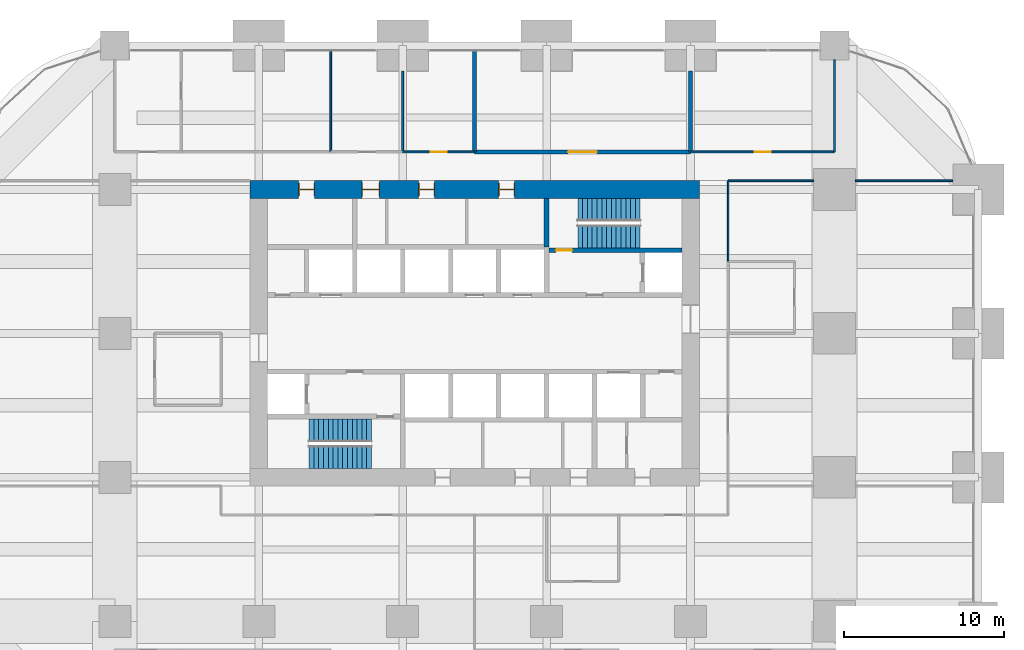
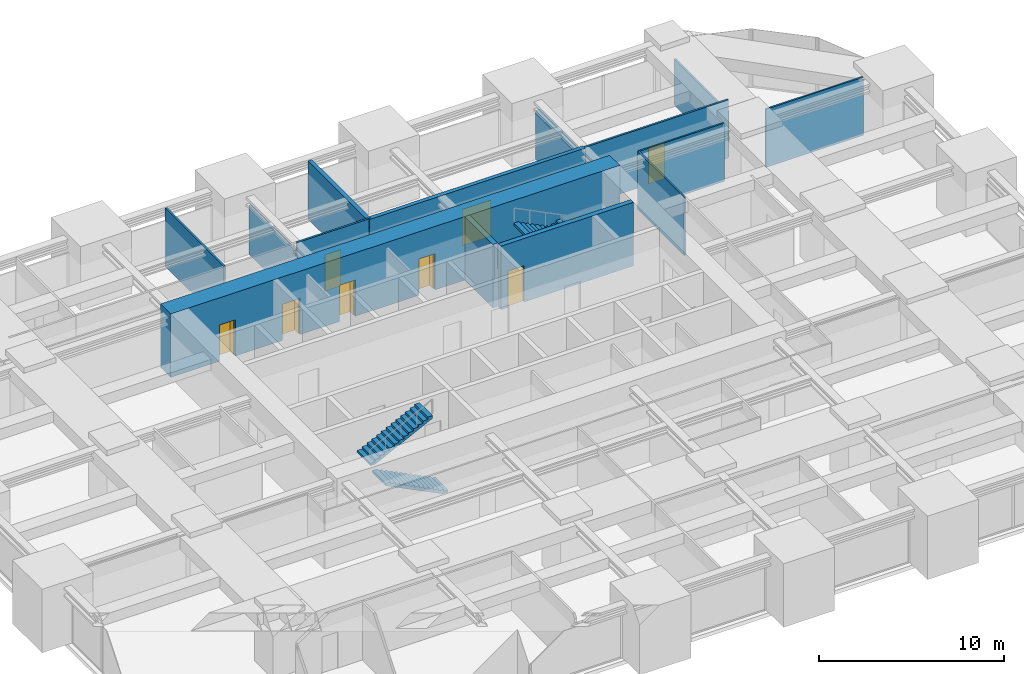
# One storey, part 44 of 45: 14 walls, 8 doors, 4 stair flights, 8 openings, 2 elements without a shape of their own.
"""IFC4 building model written with IfcOpenShell, lengths in metres."""

from ifc_helpers import new_model, si_unit, direction, frame, frame_2d, origin, place, context, subcontext, project, spatial, polyline, rectangle, outline, extrude, material, layer, layer_set, type_object, element, fill, aggregate, save


model = new_model("IFC4")

# Units and contexts
model_context = context("Model", 3, precision=1e-05, world=origin(), true_north=direction((0.0, 1.0)))
body_context = subcontext(model_context, "Body", "Model", "MODEL_VIEW")
ifc_project = project(units=[si_unit("LENGTHUNIT", "METRE"), si_unit("AREAUNIT", "SQUARE_METRE"), si_unit("VOLUMEUNIT", "CUBIC_METRE"), si_unit("PLANEANGLEUNIT", "RADIAN"), si_unit("MASSUNIT", "GRAM", prefix="KILO")], contexts=[model_context])

# Site, building, storey
site_placement = place(None, origin())
site = spatial("IfcSite", under=ifc_project, at=site_placement, CompositionType="ELEMENT")
building_placement = place(site_placement, origin())
building = spatial("IfcBuilding", under=site, at=building_placement, Name="Zorevar Civic Tower", CompositionType="ELEMENT")
storey_placement = place(building_placement, frame((0.0, 0.0, 153.0)))
storey = spatial("IfcBuildingStorey", under=building, at=storey_placement, Name="L37", CompositionType="ELEMENT", Elevation=153.0)

# Wall, opening, door
ifc_material_1 = material(Name="Twin-stud acoustic wall, gypsum board")
ifc_layer_1 = layer(ifc_material_1, 0.25)
ifc_layer_set_1 = layer_set([ifc_layer_1], Name="Acoustic wall 250")
wall_type_1 = type_object("IfcWallType", Name="Acoustic wall 250", PredefinedType="PARTITIONING", material=ifc_layer_set_1)
wall_1_placement = place(storey_placement, frame((31.5, 38.35009765625, 0.0), z_axis=(0.0, 0.0, 1.0), x_axis=(1.0, 0.0, 0.0)))
wall_1 = element("IfcWall", 1, at=wall_1_placement, inside=storey, type_object=wall_type_1, Name="Acoustic wall 250 L37", PredefinedType="PARTITIONING", context=body_context, shape_type="SweptSolid", body=[
    extrude(rectangle(XDim=13.5, YDim=0.25, at=frame_2d((6.75, 0.0))), origin(), (0.0, 0.0, 1.0), 3.85009765625),
])
opening_1_placement = place(wall_1_placement, frame((5.85009765625, 0.0, 0.0)))
opening_1 = element("IfcOpeningElement", 2, at=opening_1_placement, cuts=wall_1, Name="Opening L37.24", PredefinedType="OPENING", context=body_context, shape_type="SweptSolid", body=[
    extrude(rectangle(XDim=1.800048828125, YDim=2.39990234375, at=frame_2d((0.89990234375, 1.199951171875))), frame((0.0, 0.135009765625, 0.0), z_axis=(0.0, -1.0, 0.0), x_axis=(1.0, 0.0, 0.0)), (0.0, 0.0, 1.0), 0.27001953125),
])
ifc_material_2 = material(Name="Steel door set", Category="steel")
door_type_1 = type_object("IfcDoorType", Name="Door D2 1800x2400", OperationType="DOUBLE_DOOR_SINGLE_SWING", PredefinedType="DOOR", material=ifc_material_2)
door_1_placement = place(opening_1_placement, origin())
door_1 = element("IfcDoor", 3, at=door_1_placement, inside=storey, type_object=door_type_1, Name="Door L37 D1", OperationType="DOUBLE_DOOR_SINGLE_SWING", OverallHeight=2.39990234375, OverallWidth=1.800048828125, PredefinedType="DOOR", context=body_context, shape_type="SweptSolid", body=[
    extrude(rectangle(XDim=1.800048828125, YDim=2.39990234375, at=frame_2d((0.89990234375, 1.199951171875))), frame((0.0, 0.02490234375, 0.0), z_axis=(0.0, -1.0, 0.0), x_axis=(1.0, 0.0, 0.0)), (0.0, 0.0, 1.0), 0.050048828125),
])
fill(opening_1, door_1)

# Walls
wall_2_placement = place(storey_placement, frame((31.5, 38.35009765625, 0.0), z_axis=(0.0, 0.0, 1.0), x_axis=(0.0, 1.0, 0.0)))
element("IfcWall", 4, at=wall_2_placement, inside=storey, type_object=wall_type_1, Name="Acoustic wall 250 L37", PredefinedType="PARTITIONING", context=body_context, shape_type="SweptSolid", body=[
    extrude(rectangle(XDim=6.33984375, YDim=0.25, at=frame_2d((3.169921875, 0.0))), origin(), (0.0, 0.0, 1.0), 3.85009765625),
])
wall_3_placement = place(storey_placement, frame((45.0, 38.35009765625, 0.0), z_axis=(0.0, 0.0, 1.0), x_axis=(0.0, 1.0, 0.0)))
element("IfcWall", 5, at=wall_3_placement, inside=storey, type_object=wall_type_1, Name="Acoustic wall 250 L37", PredefinedType="PARTITIONING", context=body_context, shape_type="SweptSolid", body=[
    extrude(rectangle(XDim=5.0498046875, YDim=0.25, at=frame_2d((2.52490234375, 0.0))), origin(), (0.0, 0.0, 1.0), 3.25),
])

# Wall, openings, doors
ifc_material_3 = material(Name="Concrete C50/60", Category="concrete")
ifc_layer_2 = layer(ifc_material_3, 1.10009765625)
ifc_layer_set_2 = layer_set([ifc_layer_2], Name="Core wall 1100")
wall_type_2 = type_object("IfcWallType", Name="Core wall 1100", PredefinedType="SHEAR", material=ifc_layer_set_2)
wall_4_placement = place(storey_placement, frame((45.550048828125, 36.0, 0.0), z_axis=(0.0, 0.0, 1.0), x_axis=(-1.0, 0.0, 0.0)))
wall_4 = element("IfcWall", 6, at=wall_4_placement, inside=storey, type_object=wall_type_2, Name="Core wall N L37", PredefinedType="SHEAR", context=body_context, shape_type="SweptSolid", body=[
    extrude(rectangle(XDim=28.10009765625, YDim=1.10009765625, at=frame_2d((14.050048828125, 0.0))), origin(), (0.0, 0.0, 1.0), 4.199951171875),
])
opening_2_placement = place(wall_4_placement, frame((11.550048828125, 0.0, 0.0)))
opening_2 = element("IfcOpeningElement", 7, at=opening_2_placement, cuts=wall_4, Name="Opening L37.07", PredefinedType="OPENING", context=body_context, shape_type="SweptSolid", body=[
    extrude(rectangle(XDim=1.0, YDim=2.39990234375, at=frame_2d((0.5, 1.199951171875))), frame((0.0, 0.56005859375, 0.0), z_axis=(0.0, -1.0, 0.0), x_axis=(1.0, 0.0, 0.0)), (0.0, 0.0, 1.0), 1.1201171875),
])
opening_3_placement = place(wall_4_placement, frame((16.550048828125, 0.0, 0.0)))
opening_3 = element("IfcOpeningElement", 8, at=opening_3_placement, cuts=wall_4, Name="Opening L37.08", PredefinedType="OPENING", context=body_context, shape_type="SweptSolid", body=[
    extrude(rectangle(XDim=1.0, YDim=2.39990234375, at=frame_2d((0.5, 1.199951171875))), frame((0.0, 0.56005859375, 0.0), z_axis=(0.0, -1.0, 0.0), x_axis=(1.0, 0.0, 0.0)), (0.0, 0.0, 1.0), 1.1201171875),
])
opening_4_placement = place(wall_4_placement, frame((20.0, 0.0, 0.0)))
opening_4 = element("IfcOpeningElement", 9, at=opening_4_placement, cuts=wall_4, Name="Opening L37.09", PredefinedType="OPENING", context=body_context, shape_type="SweptSolid", body=[
    extrude(rectangle(XDim=1.10009765625, YDim=2.39990234375, at=frame_2d((0.550048828125, 1.199951171875))), frame((0.0, 0.56005859375, 0.0), z_axis=(0.0, -1.0, 0.0), x_axis=(1.0, 0.0, 0.0)), (0.0, 0.0, 1.0), 1.1201171875),
])
opening_5_placement = place(wall_4_placement, frame((24.050048828125, 0.0, 0.0)))
opening_5 = element("IfcOpeningElement", 10, at=opening_5_placement, cuts=wall_4, Name="Opening L37.10", PredefinedType="OPENING", context=body_context, shape_type="SweptSolid", body=[
    extrude(rectangle(XDim=1.0, YDim=2.39990234375, at=frame_2d((0.5, 1.199951171875))), frame((0.0, 0.56005859375, 0.0), z_axis=(0.0, -1.0, 0.0), x_axis=(1.0, 0.0, 0.0)), (0.0, 0.0, 1.0), 1.1201171875),
])
ifc_material_4 = material(Name="Timber door set", Category="wood")
door_type_2 = type_object("IfcDoorType", Name="Door D1 1000x2400", OperationType="SINGLE_SWING_LEFT", PredefinedType="DOOR", material=ifc_material_4)
door_2_placement = place(opening_2_placement, origin())
door_2 = element("IfcDoor", 11, at=door_2_placement, inside=storey, type_object=door_type_2, Name="Door L37 06", OperationType="SINGLE_SWING_LEFT", OverallHeight=2.39990234375, OverallWidth=1.0, PredefinedType="DOOR", context=body_context, shape_type="SweptSolid", body=[
    extrude(rectangle(XDim=1.0, YDim=2.39990234375, at=frame_2d((0.5, 1.199951171875))), frame((0.0, 0.02490234375, 0.0), z_axis=(0.0, -1.0, 0.0), x_axis=(1.0, 0.0, 0.0)), (0.0, 0.0, 1.0), 0.050048828125),
    extrude(rectangle(XDim=0.04, YDim=2.39990234375, at=frame_2d((0.02001953125, 1.199951171875))), frame((0.0, 0.39990234375, 0.0), z_axis=(0.0, -1.0, 0.0), x_axis=(1.0, 0.0, 0.0)), (0.0, 0.0, 1.0), 0.800048828125),
    extrude(rectangle(XDim=0.04, YDim=2.39990234375, at=frame_2d((0.97998046875, 1.199951171875))), frame((0.0, 0.39990234375, 0.0), z_axis=(0.0, -1.0, 0.0), x_axis=(1.0, 0.0, 0.0)), (0.0, 0.0, 1.0), 0.800048828125),
    extrude(rectangle(XDim=1.0, YDim=0.04, at=frame_2d((0.5, 2.3798828125))), frame((0.0, 0.39990234375, 0.0), z_axis=(0.0, -1.0, 0.0), x_axis=(1.0, 0.0, 0.0)), (0.0, 0.0, 1.0), 0.800048828125),
])
fill(opening_2, door_2)
door_3_placement = place(opening_3_placement, origin())
door_3 = element("IfcDoor", 12, at=door_3_placement, inside=storey, type_object=door_type_2, Name="Door L37 07", OperationType="SINGLE_SWING_RIGHT", OverallHeight=2.39990234375, OverallWidth=1.0, PredefinedType="DOOR", context=body_context, shape_type="SweptSolid", body=[
    extrude(rectangle(XDim=1.0, YDim=2.39990234375, at=frame_2d((0.5, 1.199951171875))), frame((0.0, 0.02490234375, 0.0), z_axis=(0.0, -1.0, 0.0), x_axis=(1.0, 0.0, 0.0)), (0.0, 0.0, 1.0), 0.050048828125),
    extrude(rectangle(XDim=0.04, YDim=2.39990234375, at=frame_2d((0.02001953125, 1.199951171875))), frame((0.0, 0.39990234375, 0.0), z_axis=(0.0, -1.0, 0.0), x_axis=(1.0, 0.0, 0.0)), (0.0, 0.0, 1.0), 0.800048828125),
    extrude(rectangle(XDim=0.04, YDim=2.39990234375, at=frame_2d((0.97998046875, 1.199951171875))), frame((0.0, 0.39990234375, 0.0), z_axis=(0.0, -1.0, 0.0), x_axis=(1.0, 0.0, 0.0)), (0.0, 0.0, 1.0), 0.800048828125),
    extrude(rectangle(XDim=1.0, YDim=0.04, at=frame_2d((0.5, 2.3798828125))), frame((0.0, 0.39990234375, 0.0), z_axis=(0.0, -1.0, 0.0), x_axis=(1.0, 0.0, 0.0)), (0.0, 0.0, 1.0), 0.800048828125),
])
fill(opening_3, door_3)
door_4_placement = place(opening_5_placement, origin())
door_4 = element("IfcDoor", 13, at=door_4_placement, inside=storey, type_object=door_type_2, Name="Door L37 09", OperationType="SINGLE_SWING_RIGHT", OverallHeight=2.39990234375, OverallWidth=1.0, PredefinedType="DOOR", context=body_context, shape_type="SweptSolid", body=[
    extrude(rectangle(XDim=1.0, YDim=2.39990234375, at=frame_2d((0.5, 1.199951171875))), frame((0.0, 0.02490234375, 0.0), z_axis=(0.0, -1.0, 0.0), x_axis=(1.0, 0.0, 0.0)), (0.0, 0.0, 1.0), 0.050048828125),
    extrude(rectangle(XDim=0.04, YDim=2.39990234375, at=frame_2d((0.02001953125, 1.199951171875))), frame((0.0, 0.39990234375, 0.0), z_axis=(0.0, -1.0, 0.0), x_axis=(1.0, 0.0, 0.0)), (0.0, 0.0, 1.0), 0.800048828125),
    extrude(rectangle(XDim=0.04, YDim=2.39990234375, at=frame_2d((0.97998046875, 1.199951171875))), frame((0.0, 0.39990234375, 0.0), z_axis=(0.0, -1.0, 0.0), x_axis=(1.0, 0.0, 0.0)), (0.0, 0.0, 1.0), 0.800048828125),
    extrude(rectangle(XDim=1.0, YDim=0.04, at=frame_2d((0.5, 2.3798828125))), frame((0.0, 0.39990234375, 0.0), z_axis=(0.0, -1.0, 0.0), x_axis=(1.0, 0.0, 0.0)), (0.0, 0.0, 1.0), 0.800048828125),
])
fill(opening_5, door_4)
ifc_material_5 = material(Name="Timber door set", Category="wood")
door_type_3 = type_object("IfcDoorType", Name="Door D5 1100x2400", OperationType="SINGLE_SWING_LEFT", PredefinedType="DOOR", material=ifc_material_5)
door_5_placement = place(opening_4_placement, origin())
door_5 = element("IfcDoor", 14, at=door_5_placement, inside=storey, type_object=door_type_3, Name="Door L37 08", OperationType="SINGLE_SWING_RIGHT", OverallHeight=2.39990234375, OverallWidth=1.10009765625, PredefinedType="DOOR", context=body_context, shape_type="SweptSolid", body=[
    extrude(rectangle(XDim=1.10009765625, YDim=2.39990234375, at=frame_2d((0.550048828125, 1.199951171875))), frame((0.0, 0.02490234375, 0.0), z_axis=(0.0, -1.0, 0.0), x_axis=(1.0, 0.0, 0.0)), (0.0, 0.0, 1.0), 0.050048828125),
    extrude(rectangle(XDim=0.04, YDim=2.39990234375, at=frame_2d((0.02001953125, 1.199951171875))), frame((0.0, 0.43994140625, 0.0), z_axis=(0.0, -1.0, 0.0), x_axis=(1.0, 0.0, 0.0)), (0.0, 0.0, 1.0), 0.880126953125),
    extrude(rectangle(XDim=0.04, YDim=2.39990234375, at=frame_2d((1.080078125, 1.199951171875))), frame((0.0, 0.43994140625, 0.0), z_axis=(0.0, -1.0, 0.0), x_axis=(1.0, 0.0, 0.0)), (0.0, 0.0, 1.0), 0.880126953125),
    extrude(rectangle(XDim=1.10009765625, YDim=0.04, at=frame_2d((0.550048828125, 2.3798828125))), frame((0.0, 0.43994140625, 0.0), z_axis=(0.0, -1.0, 0.0), x_axis=(1.0, 0.0, 0.0)), (0.0, 0.0, 1.0), 0.880126953125),
])
fill(opening_4, door_5)

# Walls
ifc_material_6 = material(Name="Laminated glass in black aluminium frame", Category="aluminium")
ifc_layer_3 = layer(ifc_material_6, 0.10009765625)
ifc_layer_set_3 = layer_set([ifc_layer_3], Name="Glazed partition 100")
wall_type_3 = type_object("IfcWallType", Name="Glazed partition 100", PredefinedType="PARTITIONING", material=ifc_layer_set_3)
wall_5_placement = place(storey_placement, frame((47.35009765625, 36.550048828125, 0.0), z_axis=(0.0, 0.0, 1.0), x_axis=(1.0, 0.0, 0.0)))
element("IfcWall", 15, at=wall_5_placement, inside=storey, type_object=wall_type_3, Name="Glazed partition 100 L37", PredefinedType="PARTITIONING", context=body_context, shape_type="SweptSolid", body=[
    extrude(rectangle(XDim=5.349853515625, YDim=0.10009765625, at=frame_2d((2.6748046875, 0.0))), origin(), (0.0, 0.0, 1.0), 3.85009765625),
])
wall_6_placement = place(storey_placement, frame((55.300048828125, 36.550048828125, 0.0), z_axis=(0.0, 0.0, 1.0), x_axis=(1.0, 0.0, 0.0)))
element("IfcWall", 16, at=wall_6_placement, inside=storey, type_object=wall_type_3, Name="Glazed partition 100 L37", PredefinedType="PARTITIONING", context=body_context, shape_type="SweptSolid", body=[
    extrude(rectangle(XDim=6.099853515625, YDim=0.10009765625, at=frame_2d((3.0498046875, 0.0))), origin(), (0.0, 0.0, 1.0), 3.85009765625),
])
wall_7_placement = place(storey_placement, frame((47.35009765625, 31.5, 0.0), z_axis=(0.0, 0.0, 1.0), x_axis=(0.0, 1.0, 0.0)))
element("IfcWall", 17, at=wall_7_placement, inside=storey, type_object=wall_type_3, Name="Glazed partition 100 L37", PredefinedType="PARTITIONING", context=body_context, shape_type="SweptSolid", body=[
    extrude(rectangle(XDim=5.050048828125, YDim=0.10009765625, at=frame_2d((2.52490234375, 0.0))), origin(), (0.0, 0.0, 1.0), 3.85009765625),
])

# Wall, opening, door
ifc_material_7 = material(Name="Concrete C40/50", Category="concrete")
ifc_layer_4 = layer(ifc_material_7, 0.300048828125)
ifc_layer_set_4 = layer_set([ifc_layer_4], Name="Inner core wall 300")
wall_type_4 = type_object("IfcWallType", Name="Inner core wall 300", PredefinedType="SHEAR", material=ifc_layer_set_4)
wall_8_placement = place(storey_placement, frame((36.14990234375, 32.199951171875, 0.0), z_axis=(0.0, 0.0, 1.0), x_axis=(1.0, 0.0, 0.0)))
wall_8 = element("IfcWall", 18, at=wall_8_placement, inside=storey, type_object=wall_type_4, Name="Inner core wall N00 L37", PredefinedType="SHEAR", context=body_context, shape_type="SweptSolid", body=[
    extrude(rectangle(XDim=8.300048828125, YDim=0.300048828125, at=frame_2d((4.14990234375, 0.0))), origin(), (0.0, 0.0, 1.0), 4.199951171875),
])
opening_6_placement = place(wall_8_placement, frame((0.449951171875, 0.0, 0.0)))
opening_6 = element("IfcOpeningElement", 19, at=opening_6_placement, cuts=wall_8, Name="Opening L37.12", PredefinedType="OPENING", context=body_context, shape_type="SweptSolid", body=[
    extrude(rectangle(XDim=1.0, YDim=2.39990234375, at=frame_2d((0.5, 1.199951171875))), frame((0.0, 0.159912109375, 0.0), z_axis=(0.0, -1.0, 0.0), x_axis=(1.0, 0.0, 0.0)), (0.0, 0.0, 1.0), 0.320068359375),
])
ifc_material_8 = material(Name="Steel door set", Category="steel")
door_type_4 = type_object("IfcDoorType", Name="Fire door FD1 1000x2400", OperationType="SINGLE_SWING_LEFT", PredefinedType="DOOR", material=ifc_material_8)
door_6_placement = place(opening_6_placement, origin())
door_6 = element("IfcDoor", 20, at=door_6_placement, inside=storey, type_object=door_type_4, Name="Door L37 11", OperationType="SINGLE_SWING_RIGHT", OverallHeight=2.39990234375, OverallWidth=1.0, PredefinedType="DOOR", context=body_context, shape_type="SweptSolid", body=[
    extrude(rectangle(XDim=1.0, YDim=2.39990234375, at=frame_2d((0.5, 1.199951171875))), frame((0.0, 0.030029296875, 0.0), z_axis=(0.0, -1.0, 0.0), x_axis=(1.0, 0.0, 0.0)), (0.0, 0.0, 1.0), 0.06005859375),
])
fill(opening_6, door_6)

# Wall
wall_9_placement = place(storey_placement, frame((36.0, 32.39990234375, 0.0), z_axis=(0.0, 0.0, 1.0), x_axis=(0.0, 1.0, 0.0)))
element("IfcWall", 21, at=wall_9_placement, inside=storey, type_object=wall_type_4, Name="Inner core wall N01 L37", PredefinedType="SHEAR", context=body_context, shape_type="SweptSolid", body=[
    extrude(rectangle(XDim=3.050048828125, YDim=0.300048828125, at=frame_2d((1.52490234375, 0.0))), origin(), (0.0, 0.0, 1.0), 4.199951171875),
])

# Wall, opening, door
ifc_material_9 = material(Name="Gypsum board on steel studs", Category="steel")
ifc_layer_5 = layer(ifc_material_9, 0.1201171875)
ifc_layer_set_5 = layer_set([ifc_layer_5], Name="Partition 120")
wall_type_5 = type_object("IfcWallType", Name="Partition 120", PredefinedType="PARTITIONING", material=ifc_layer_set_5)
wall_10_placement = place(storey_placement, frame((27.0, 38.35009765625, 0.0), z_axis=(0.0, 0.0, 1.0), x_axis=(1.0, 0.0, 0.0)))
wall_10 = element("IfcWall", 22, at=wall_10_placement, inside=storey, type_object=wall_type_5, Name="Partition 120 L37", PredefinedType="PARTITIONING", context=body_context, shape_type="SweptSolid", body=[
    extrude(rectangle(XDim=4.5, YDim=0.1201171875, at=frame_2d((2.25, 0.0))), origin(), (0.0, 0.0, 1.0), 3.85009765625),
])
opening_7_placement = place(wall_10_placement, frame((1.75, 0.0, 0.0)))
opening_7 = element("IfcOpeningElement", 23, at=opening_7_placement, cuts=wall_10, Name="Opening L37.27", PredefinedType="OPENING", context=body_context, shape_type="SweptSolid", body=[
    extrude(rectangle(XDim=1.0, YDim=2.39990234375, at=frame_2d((0.5, 1.199951171875))), frame((0.0, 0.070068359375, 0.0), z_axis=(0.0, -1.0, 0.0), x_axis=(1.0, 0.0, 0.0)), (0.0, 0.0, 1.0), 0.14013671875),
])
door_7_placement = place(opening_7_placement, origin())
door_7 = element("IfcDoor", 24, at=door_7_placement, inside=storey, type_object=door_type_2, Name="Door L37 D1", OperationType="SINGLE_SWING_LEFT", OverallHeight=2.39990234375, OverallWidth=1.0, PredefinedType="DOOR", context=body_context, shape_type="SweptSolid", body=[
    extrude(rectangle(XDim=1.0, YDim=2.39990234375, at=frame_2d((0.5, 1.199951171875))), frame((0.0, 0.02490234375, 0.0), z_axis=(0.0, -1.0, 0.0), x_axis=(1.0, 0.0, 0.0)), (0.0, 0.0, 1.0), 0.050048828125),
])
fill(opening_7, door_7)

wall_11_placement = place(storey_placement, frame((45.0, 38.35009765625, 0.0), z_axis=(0.0, 0.0, 1.0), x_axis=(1.0, 0.0, 0.0)))
wall_11 = element("IfcWall", 25, at=wall_11_placement, inside=storey, type_object=wall_type_5, Name="Partition 120 L37", PredefinedType="PARTITIONING", context=body_context, shape_type="SweptSolid", body=[
    extrude(rectangle(XDim=9.0, YDim=0.1201171875, at=frame_2d((4.5, 0.0))), origin(), (0.0, 0.0, 1.0), 3.85009765625),
])
opening_8_placement = place(wall_11_placement, frame((4.0, 0.0, 0.0)))
opening_8 = element("IfcOpeningElement", 26, at=opening_8_placement, cuts=wall_11, Name="Opening L37.28", PredefinedType="OPENING", context=body_context, shape_type="SweptSolid", body=[
    extrude(rectangle(XDim=1.0, YDim=2.39990234375, at=frame_2d((0.5, 1.199951171875))), frame((0.0, 0.070068359375, 0.0), z_axis=(0.0, -1.0, 0.0), x_axis=(1.0, 0.0, 0.0)), (0.0, 0.0, 1.0), 0.14013671875),
])
door_8_placement = place(opening_8_placement, origin())
door_8 = element("IfcDoor", 27, at=door_8_placement, inside=storey, type_object=door_type_2, Name="Door L37 D1", OperationType="SINGLE_SWING_RIGHT", OverallHeight=2.39990234375, OverallWidth=1.0, PredefinedType="DOOR", context=body_context, shape_type="SweptSolid", body=[
    extrude(rectangle(XDim=1.0, YDim=2.39990234375, at=frame_2d((0.5, 1.199951171875))), frame((0.0, 0.02490234375, 0.0), z_axis=(0.0, -1.0, 0.0), x_axis=(1.0, 0.0, 0.0)), (0.0, 0.0, 1.0), 0.050048828125),
])
fill(opening_8, door_8)

# Walls
wall_12_placement = place(storey_placement, frame((22.5, 38.35009765625, 0.0), z_axis=(0.0, 0.0, 1.0), x_axis=(0.0, 1.0, 0.0)))
element("IfcWall", 28, at=wall_12_placement, inside=storey, type_object=wall_type_5, Name="Partition 120 L37", PredefinedType="PARTITIONING", context=body_context, shape_type="SweptSolid", body=[
    extrude(rectangle(XDim=6.33984375, YDim=0.1201171875, at=frame_2d((3.169921875, 0.0))), origin(), (0.0, 0.0, 1.0), 3.85009765625),
])
wall_13_placement = place(storey_placement, frame((27.0, 38.35009765625, 0.0), z_axis=(0.0, 0.0, 1.0), x_axis=(0.0, 1.0, 0.0)))
element("IfcWall", 29, at=wall_13_placement, inside=storey, type_object=wall_type_5, Name="Partition 120 L37", PredefinedType="PARTITIONING", context=body_context, shape_type="SweptSolid", body=[
    extrude(rectangle(XDim=5.0498046875, YDim=0.1201171875, at=frame_2d((2.52490234375, 0.0))), origin(), (0.0, 0.0, 1.0), 3.25),
])
wall_14_placement = place(storey_placement, frame((54.0, 38.35009765625, 0.0), z_axis=(0.0, 0.0, 1.0), x_axis=(0.0, 1.0, 0.0)))
element("IfcWall", 30, at=wall_14_placement, inside=storey, type_object=wall_type_5, Name="Partition 120 L37", PredefinedType="PARTITIONING", context=body_context, shape_type="SweptSolid", body=[
    extrude(rectangle(XDim=5.75, YDim=0.1201171875, at=frame_2d((2.875, 0.0))), origin(), (0.0, 0.0, 1.0), 3.050048828125),
])

# Stair, stair flights
ifc_material_10 = material(Name="Precast concrete C40/50", Category="concrete")
stair_type = type_object("IfcStairType", Name="Stair ST 28R", PredefinedType="HALF_TURN_STAIR", material=ifc_material_10)
stair_1_placement = place(storey_placement, origin())
stair_1 = element("IfcStair", 31, at=stair_1_placement, inside=storey, type_object=stair_type, Name="Stair ST1 L37", PredefinedType="HALF_TURN_STAIR")
ifc_material_11 = material(Name="Precast concrete C40/50", Category="concrete")
stair_flight_type = type_object("IfcStairFlightType", Name="Stair flight", PredefinedType="STRAIGHT", material=ifc_material_11)
stair_flight_1_placement = place(storey_placement, frame((25.050048828125, 19.262451171875, 0.0), z_axis=(0.0, 0.0, 1.0), x_axis=(-1.0, 0.0, 0.0)))
stair_flight_1 = element("IfcStairFlight", 32, at=stair_flight_1_placement, type_object=stair_flight_type, Name="ST1 flight 1", NumberOfRisers=14, NumberOfTreads=13, PredefinedType="STRAIGHT", RiserHeight=0.15, TreadLength=0.3, context=body_context, shape_type="SweptSolid", body=[
    extrude(outline(polyline([(0.0, 0.0), (0.0, 0.14990234375), (0.300048828125, 0.14990234375), (0.300048828125, 0.300048828125), (0.60009765625, 0.300048828125), (0.60009765625, 0.449951171875), (0.89990234375, 0.449951171875), (0.89990234375, 0.60009765625), (1.199951171875, 0.60009765625), (1.199951171875, 0.75), (1.5, 0.75), (1.5, 0.89990234375), (1.800048828125, 0.89990234375), (1.800048828125, 1.050048828125), (2.10009765625, 1.050048828125), (2.10009765625, 1.199951171875), (2.39990234375, 1.199951171875), (2.39990234375, 1.35009765625), (2.699951171875, 1.35009765625), (2.699951171875, 1.5), (3.0, 1.5), (3.0, 1.64990234375), (3.300048828125, 1.64990234375), (3.300048828125, 1.800048828125), (3.60009765625, 1.800048828125), (3.60009765625, 1.949951171875), (3.89990234375, 1.949951171875), (3.89990234375, 2.10009765625), (3.89990234375, 1.782470703125), (0.335205078125, 0.0), (0.0, 0.0)])), frame((0.0, 0.71240234375, 0.0), z_axis=(0.0, -1.0, 0.0), x_axis=(1.0, 0.0, 0.0)), (0.0, 0.0, 1.0), 1.425048828125),
])
stair_flight_2_placement = place(storey_placement, frame((21.14990234375, 20.9375, 2.10009765625), z_axis=(0.0, 0.0, 1.0), x_axis=(1.0, 0.0, 0.0)))
stair_flight_2 = element("IfcStairFlight", 33, at=stair_flight_2_placement, type_object=stair_flight_type, Name="ST1 flight 2", NumberOfRisers=14, NumberOfTreads=13, PredefinedType="STRAIGHT", RiserHeight=0.15, TreadLength=0.3, context=body_context, shape_type="SweptSolid", body=[
    extrude(outline(polyline([(0.0, 0.0), (0.0, 0.14990234375), (0.300048828125, 0.14990234375), (0.300048828125, 0.300048828125), (0.60009765625, 0.300048828125), (0.60009765625, 0.449951171875), (0.89990234375, 0.449951171875), (0.89990234375, 0.60009765625), (1.199951171875, 0.60009765625), (1.199951171875, 0.75), (1.5, 0.75), (1.5, 0.89990234375), (1.800048828125, 0.89990234375), (1.800048828125, 1.050048828125), (2.10009765625, 1.050048828125), (2.10009765625, 1.199951171875), (2.39990234375, 1.199951171875), (2.39990234375, 1.35009765625), (2.699951171875, 1.35009765625), (2.699951171875, 1.5), (3.0, 1.5), (3.0, 1.64990234375), (3.300048828125, 1.64990234375), (3.300048828125, 1.800048828125), (3.60009765625, 1.800048828125), (3.60009765625, 1.949951171875), (3.89990234375, 1.949951171875), (3.89990234375, 2.10009765625), (3.89990234375, 1.782470703125), (0.335205078125, 0.0), (0.0, 0.0)])), frame((0.0, 0.71240234375, 0.0), z_axis=(0.0, -1.0, 0.0), x_axis=(1.0, 0.0, 0.0)), (0.0, 0.0, 1.0), 1.425048828125),
])
aggregate(stair_1, [stair_flight_1, stair_flight_2])

stair_2_placement = place(storey_placement, origin())
stair_2 = element("IfcStair", 34, at=stair_2_placement, inside=storey, type_object=stair_type, Name="Stair ST2 L37", PredefinedType="HALF_TURN_STAIR")
stair_flight_3_placement = place(storey_placement, frame((37.949951171875, 34.737548828125, 0.0), z_axis=(0.0, 0.0, 1.0), x_axis=(1.0, 0.0, 0.0)))
stair_flight_3 = element("IfcStairFlight", 35, at=stair_flight_3_placement, type_object=stair_flight_type, Name="ST2 flight 1", NumberOfRisers=14, NumberOfTreads=13, PredefinedType="STRAIGHT", RiserHeight=0.15, TreadLength=0.3, context=body_context, shape_type="SweptSolid", body=[
    extrude(outline(polyline([(0.0, 0.0), (0.0, 0.14990234375), (0.300048828125, 0.14990234375), (0.300048828125, 0.300048828125), (0.60009765625, 0.300048828125), (0.60009765625, 0.449951171875), (0.89990234375, 0.449951171875), (0.89990234375, 0.60009765625), (1.199951171875, 0.60009765625), (1.199951171875, 0.75), (1.5, 0.75), (1.5, 0.89990234375), (1.800048828125, 0.89990234375), (1.800048828125, 1.050048828125), (2.10009765625, 1.050048828125), (2.10009765625, 1.199951171875), (2.39990234375, 1.199951171875), (2.39990234375, 1.35009765625), (2.699951171875, 1.35009765625), (2.699951171875, 1.5), (3.0, 1.5), (3.0, 1.64990234375), (3.300048828125, 1.64990234375), (3.300048828125, 1.800048828125), (3.60009765625, 1.800048828125), (3.60009765625, 1.949951171875), (3.89990234375, 1.949951171875), (3.89990234375, 2.10009765625), (3.89990234375, 1.782470703125), (0.335205078125, 0.0), (0.0, 0.0)])), frame((0.0, 0.71240234375, 0.0), z_axis=(0.0, -1.0, 0.0), x_axis=(1.0, 0.0, 0.0)), (0.0, 0.0, 1.0), 1.425048828125),
])
stair_flight_4_placement = place(storey_placement, frame((41.85009765625, 33.0625, 2.10009765625), z_axis=(0.0, 0.0, 1.0), x_axis=(-1.0, 0.0, 0.0)))
stair_flight_4 = element("IfcStairFlight", 36, at=stair_flight_4_placement, type_object=stair_flight_type, Name="ST2 flight 2", NumberOfRisers=14, NumberOfTreads=13, PredefinedType="STRAIGHT", RiserHeight=0.15, TreadLength=0.3, context=body_context, shape_type="SweptSolid", body=[
    extrude(outline(polyline([(0.0, 0.0), (0.0, 0.14990234375), (0.300048828125, 0.14990234375), (0.300048828125, 0.300048828125), (0.60009765625, 0.300048828125), (0.60009765625, 0.449951171875), (0.89990234375, 0.449951171875), (0.89990234375, 0.60009765625), (1.199951171875, 0.60009765625), (1.199951171875, 0.75), (1.5, 0.75), (1.5, 0.89990234375), (1.800048828125, 0.89990234375), (1.800048828125, 1.050048828125), (2.10009765625, 1.050048828125), (2.10009765625, 1.199951171875), (2.39990234375, 1.199951171875), (2.39990234375, 1.35009765625), (2.699951171875, 1.35009765625), (2.699951171875, 1.5), (3.0, 1.5), (3.0, 1.64990234375), (3.300048828125, 1.64990234375), (3.300048828125, 1.800048828125), (3.60009765625, 1.800048828125), (3.60009765625, 1.949951171875), (3.89990234375, 1.949951171875), (3.89990234375, 2.10009765625), (3.89990234375, 1.782470703125), (0.335205078125, 0.0), (0.0, 0.0)])), frame((0.0, 0.71240234375, 0.0), z_axis=(0.0, -1.0, 0.0), x_axis=(1.0, 0.0, 0.0)), (0.0, 0.0, 1.0), 1.425048828125),
])
aggregate(stair_2, [stair_flight_3, stair_flight_4])

save(model, "model.ifc")
